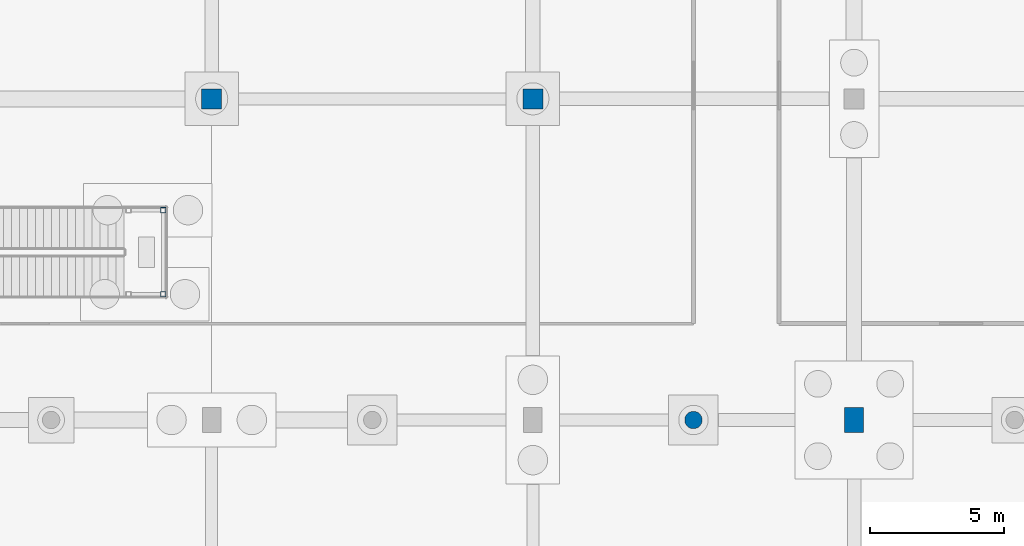
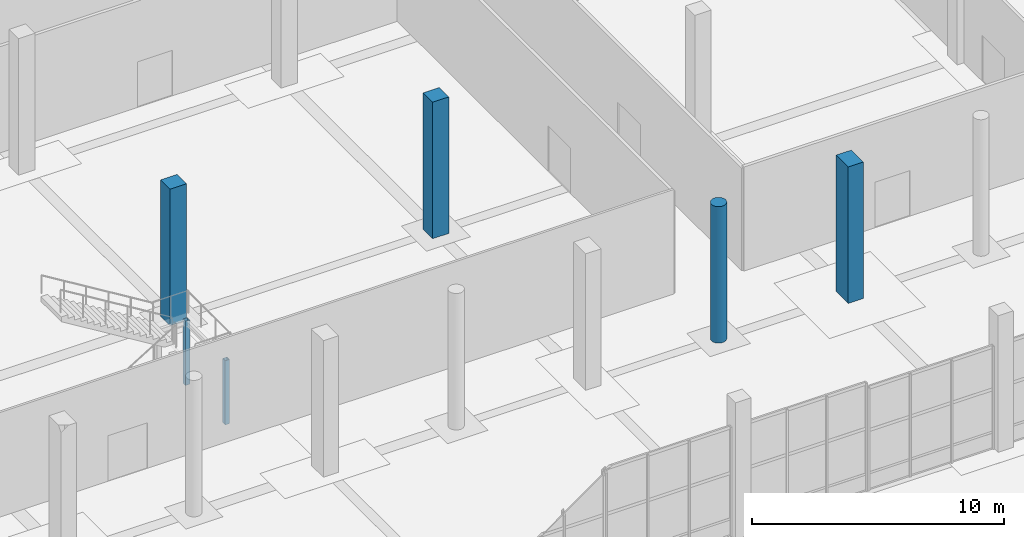
# One storey, part 24 of 117: 6 columns.
"""IFC4 building model written with IfcOpenShell, lengths in metres."""

from ifc_helpers import new_model, si_unit, direction, frame, origin, origin_2d, place, context, subcontext, project, spatial, rectangle, hollow_rectangle, circle, extrude, material, material_profile, profile_set, type_object, element, save


model = new_model("IFC4")

# Units and contexts
model_context = context("Model", 3, precision=1e-05, world=origin(), true_north=direction((0.0, 1.0)))
body_context = subcontext(model_context, "Body", "Model", "MODEL_VIEW")
ifc_project = project(units=[si_unit("LENGTHUNIT", "METRE"), si_unit("AREAUNIT", "SQUARE_METRE"), si_unit("VOLUMEUNIT", "CUBIC_METRE"), si_unit("PLANEANGLEUNIT", "RADIAN"), si_unit("MASSUNIT", "GRAM", prefix="KILO")], contexts=[model_context])

# Site, building, storey
site_placement = place(None, origin())
site = spatial("IfcSite", under=ifc_project, at=site_placement, CompositionType="ELEMENT")
building_placement = place(site_placement, origin())
building = spatial("IfcBuilding", under=site, at=building_placement, Name="Kamomehara Wholesale Market", CompositionType="ELEMENT")
storey_placement = place(building_placement, origin())
storey = spatial("IfcBuildingStorey", under=building, at=storey_placement, Name="L00", CompositionType="ELEMENT", Elevation=0.0)

# Columns
ifc_material_1 = material(Name="Precast concrete Fc45 (C40/50)", Category="concrete")
ifc_material_profile_1 = material_profile(ifc_material_1, circle(Radius=0.324951171875, at=origin_2d()), Name="PC-ARC-D650")
ifc_profile_set_1 = profile_set([ifc_material_profile_1], Name="Precast concrete Fc45 (C40/50)")
column_type_1 = type_object("IfcColumnType", Name="COL-ARC650-EXT", PredefinedType="COLUMN", material=ifc_profile_set_1)
column_1_placement = place(storey_placement, frame((114.0, 108.0, 0.0), z_axis=(0.0, 0.0, 1.0), x_axis=(1.0, 0.0, 0.0)))
element("IfcColumn", 1, at=column_1_placement, inside=storey, type_object=column_type_1, Name="Column CA-01E L00", PredefinedType="COLUMN", context=body_context, shape_type="SweptSolid", body=[
    extrude(circle(Radius=0.324951171875, at=origin_2d()), origin(), (0.0, 0.0, 1.0), 6.60009765625),
])
ifc_material_2 = material(Name="Precast concrete Fc45 (C40/50)", Category="concrete")
ifc_material_profile_2 = material_profile(ifc_material_2, rectangle(XDim=0.75, YDim=0.75, at=origin_2d()), Name="PC-COL-750x750")
ifc_profile_set_2 = profile_set([ifc_material_profile_2], Name="Precast concrete Fc45 (C40/50)")
column_type_2 = type_object("IfcColumnType", Name="COL-PC750", PredefinedType="COLUMN", material=ifc_profile_set_2)
column_2_placement = place(storey_placement, frame((96.0, 120.0, 0.0), z_axis=(0.0, 0.0, 1.0), x_axis=(1.0, 0.0, 0.0)))
element("IfcColumn", 2, at=column_2_placement, inside=storey, type_object=column_type_2, Name="Column C-04 L00", PredefinedType="COLUMN", context=body_context, shape_type="SweptSolid", body=[
    extrude(rectangle(XDim=0.75, YDim=0.75, at=origin_2d()), origin(), (0.0, 0.0, 1.0), 6.60009765625),
])
ifc_material_3 = material(Name="Precast concrete Fc45 (C40/50)", Category="concrete")
ifc_material_profile_3 = material_profile(ifc_material_3, rectangle(XDim=0.75, YDim=0.75, at=origin_2d()), Name="PC-COL-750x750")
ifc_profile_set_3 = profile_set([ifc_material_profile_3], Name="Precast concrete Fc45 (C40/50)")
column_type_3 = type_object("IfcColumnType", Name="COL-PC750-EXT", PredefinedType="COLUMN", material=ifc_profile_set_3)
column_3_placement = place(storey_placement, frame((108.0, 120.0, 0.0), z_axis=(0.0, 0.0, 1.0), x_axis=(1.0, 0.0, 0.0)))
element("IfcColumn", 3, at=column_3_placement, inside=storey, type_object=column_type_3, Name="Column C-04E L00", PredefinedType="COLUMN", context=body_context, shape_type="SweptSolid", body=[
    extrude(rectangle(XDim=0.75, YDim=0.75, at=origin_2d()), origin(), (0.0, 0.0, 1.0), 6.60009765625),
])
ifc_material_4 = material(Name="Precast concrete Fc45 (C40/50)", Category="concrete")
ifc_material_profile_4 = material_profile(ifc_material_4, rectangle(XDim=0.699951171875, YDim=0.949951171875, at=origin_2d()), Name="PC-COL-700x950")
ifc_profile_set_4 = profile_set([ifc_material_profile_4], Name="Precast concrete Fc45 (C40/50)")
column_type_4 = type_object("IfcColumnType", Name="COL-PCR950-EXT", PredefinedType="COLUMN", material=ifc_profile_set_4)
column_4_placement = place(storey_placement, frame((120.0, 108.0, 0.0), z_axis=(0.0, 0.0, 1.0), x_axis=(1.0, 0.0, 0.0)))
element("IfcColumn", 4, at=column_4_placement, inside=storey, type_object=column_type_4, Name="Column C-11E L00", PredefinedType="COLUMN", context=body_context, shape_type="SweptSolid", body=[
    extrude(rectangle(XDim=0.699951171875, YDim=0.949951171875, at=origin_2d()), origin(), (0.0, 0.0, 1.0), 6.60009765625),
])
ifc_material_5 = material(Name="Steel SN490B", Category="steel")
ifc_material_profile_5 = material_profile(ifc_material_5, hollow_rectangle(XDim=0.199951171875, YDim=0.199951171875, WallThickness=0.009033203125, at=origin_2d()), Name="RHS-200x200x9")
ifc_profile_set_5 = profile_set([ifc_material_profile_5], Name="Steel SN490B")
column_type_5 = type_object("IfcColumnType", Name="COL-ST-RHS200", PredefinedType="COLUMN", material=ifc_profile_set_5)
for number, where, z_axis, x_axis, name in (
    (5, (94.18994140625, 112.699951171875, 0.0), (0.0, 0.0, 1.0), (1.0, 0.0, 0.0), "Column CS-12 L00"),
    (6, (94.18994140625, 115.840087890625, 0.0), (0.0, 0.0, 1.0), (1.0, 0.0, 0.0), "Column CS-12 L00"),
):
    element("IfcColumn", number, at=place(storey_placement, frame(where, z_axis=z_axis, x_axis=x_axis)), inside=storey, type_object=column_type_5, Name=name, PredefinedType="COLUMN", context=body_context, shape_type="SweptSolid", body=[
        extrude(hollow_rectangle(XDim=0.199951171875, YDim=0.199951171875, WallThickness=0.009033203125, at=origin_2d()), origin(), (0.0, 0.0, 1.0), 3.10009765625),
    ])

save(model, "model.ifc")
